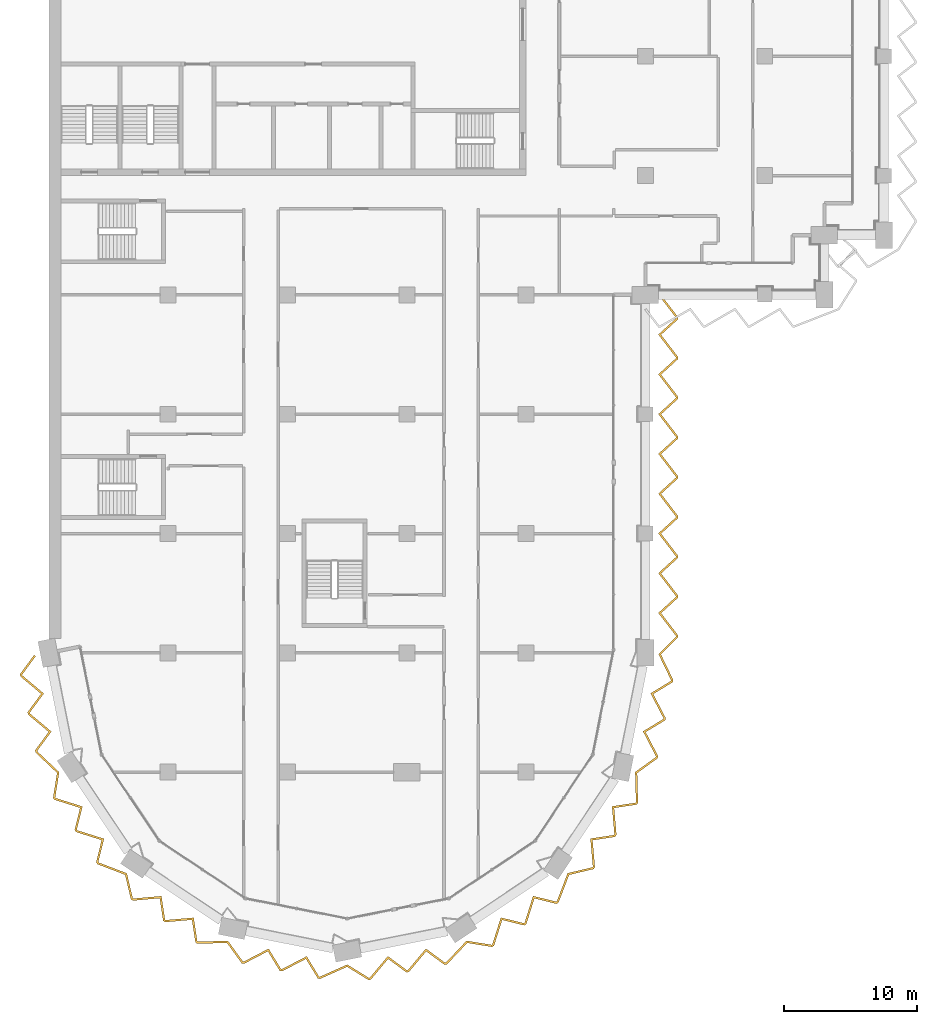
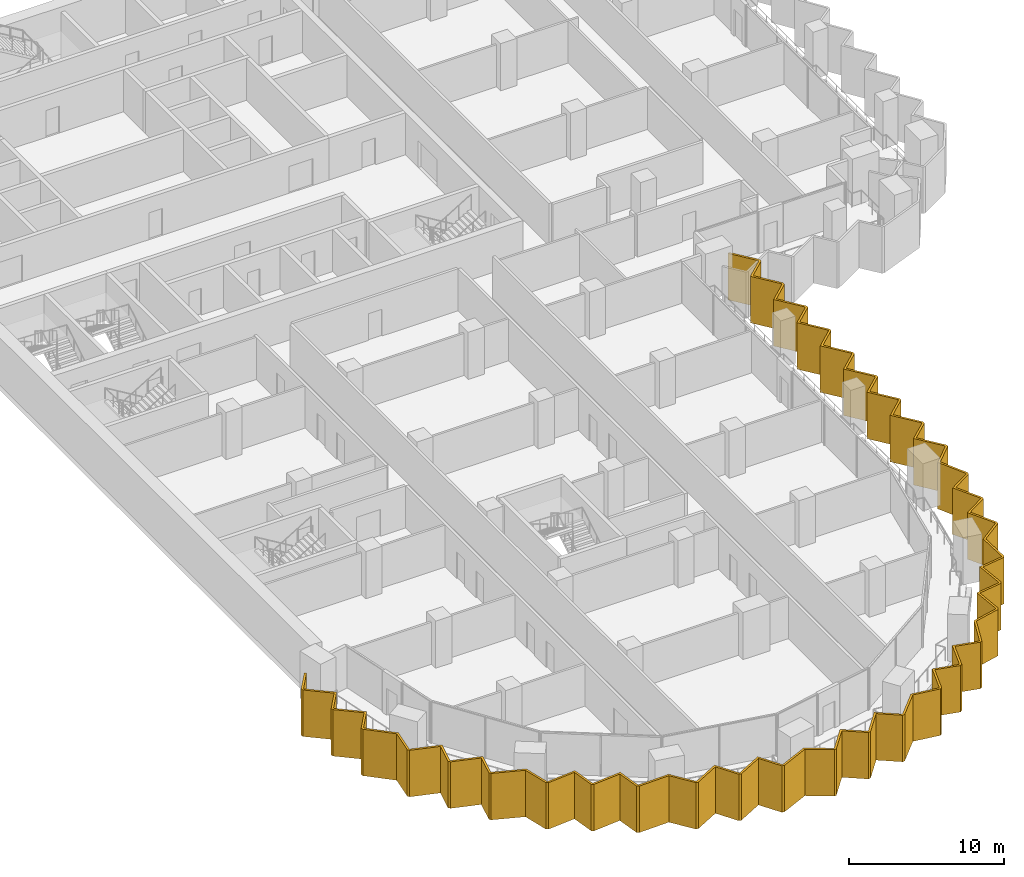
# One storey, part 18 of 22: 1 shading device.
"""IFC4 building model written with IfcOpenShell, lengths in metres."""

from ifc_helpers import new_model, si_unit, direction, frame, origin, place, context, subcontext, project, spatial, polyline, outline, extrude, material, layer, layer_set, type_object, element, save


model = new_model("IFC4")

# Units and contexts
model_context = context("Model", 3, precision=1e-05, world=origin(), true_north=direction((0.0, 1.0)))
body_context = subcontext(model_context, "Body", "Model", "MODEL_VIEW")
ifc_project = project(units=[si_unit("LENGTHUNIT", "METRE"), si_unit("AREAUNIT", "SQUARE_METRE"), si_unit("VOLUMEUNIT", "CUBIC_METRE"), si_unit("PLANEANGLEUNIT", "RADIAN"), si_unit("MASSUNIT", "GRAM", prefix="KILO")], contexts=[model_context])

# Site, building, storey
site_placement = place(None, origin())
site = spatial("IfcSite", under=ifc_project, at=site_placement, CompositionType="ELEMENT")
building_placement = place(site_placement, origin())
building = spatial("IfcBuilding", under=site, at=building_placement, Name="Hunhe Ridgeline Campus", CompositionType="ELEMENT")
storey_placement = place(building_placement, frame((0.0, 0.0, 163.39990234375)))
storey = spatial("IfcBuildingStorey", under=building, at=storey_placement, Name="L41", CompositionType="ELEMENT", Elevation=163.39990234375)

# Shading device
ifc_material = material(Name="Concrete C50", Category="concrete")
ifc_layer = layer(ifc_material, 0.14990234375)
ifc_layer_set = layer_set([ifc_layer], Name="Sawtooth concrete fin 150 Concrete C50")
shading_device_type = type_object("IfcShadingDeviceType", Name="Sawtooth concrete fin 150 Concrete C50", PredefinedType="USERDEFINED", material=ifc_layer_set)
shading_device_placement = place(storey_placement, frame((0.0, 0.0, -0.949951171875)))
element("IfcShadingDevice", 1, at=shading_device_placement, inside=storey, type_object=shading_device_type, Name="Concrete fin screen 1", ObjectType="FIN", PredefinedType="USERDEFINED", context=body_context, shape_type="SweptSolid", body=[
    extrude(outline(polyline([(-0.993896484375, 26.745849609375), (-1.11474609375, 26.834716796875), (-2.177978515625, 25.391357421875), (-2.14306640625, 25.21533203125), (-0.58544921875, 23.907958984375), (-1.607177734375, 22.521240234375), (-1.572021484375, 22.34521484375), (-0.0146484375, 21.037841796875), (-1.0361328125, 19.651123046875), (-1.001708984375, 19.4775390625), (0.61962890625, 17.94287109375), (0.318115234375, 16.06689453125), (0.415771484375, 15.920654296875), (2.35498046875, 15.308837890625), (1.94189453125, 13.63671875), (2.041748046875, 13.487548828125), (3.980712890625, 12.875732421875), (3.567626953125, 11.20361328125), (3.666015625, 11.056396484375), (5.751220703125, 10.25927734375), (6.190673828125, 8.410400390625), (6.3369140625, 8.312744140625), (8.362548828125, 8.48974609375), (8.620849609375, 6.78662109375), (8.77001953125, 6.68701171875), (10.795654296875, 6.86376953125), (11.053955078125, 5.160888671875), (11.201171875, 5.0625), (13.4326171875, 5.1240234375), (14.5458984375, 3.584228515625), (14.718505859375, 3.5498046875), (16.522216796875, 4.488525390625), (17.41259765625, 3.013916015625), (17.588623046875, 2.97900390625), (19.392333984375, 3.91748046875), (20.28271484375, 2.443115234375), (20.456298828125, 2.408447265625), (22.494384765625, 3.3193359375), (24.1123046875, 2.32275390625), (24.28466796875, 2.35693359375), (25.592041015625, 3.91455078125), (26.978759765625, 2.892822265625), (27.15478515625, 2.927978515625), (28.462158203125, 4.4853515625), (29.848876953125, 3.4638671875), (30.0224609375, 3.498291015625), (31.55712890625, 5.11962890625), (33.43310546875, 4.818115234375), (33.579345703125, 4.915771484375), (34.191162109375, 6.85498046875), (35.86328125, 6.44189453125), (36.012451171875, 6.541748046875), (36.624267578125, 8.480712890625), (38.29638671875, 8.067626953125), (38.443603515625, 8.166015625), (39.24072265625, 10.251220703125), (41.089599609375, 10.690673828125), (41.187255859375, 10.8369140625), (41.01025390625, 12.862548828125), (42.71337890625, 13.120849609375), (42.81298828125, 13.27001953125), (42.63623046875, 15.295654296875), (44.339111328125, 15.553955078125), (44.4375, 15.701171875), (44.3759765625, 17.9326171875), (45.915771484375, 19.0458984375), (45.9501953125, 19.218505859375), (45.011474609375, 21.022216796875), (46.486083984375, 21.91259765625), (46.52099609375, 22.088623046875), (45.58251953125, 23.892333984375), (47.056884765625, 24.78271484375), (47.091796875, 24.95751953125), (46.165771484375, 26.878662109375), (47.449951171875, 28.15478515625), (47.449951171875, 28.33154296875), (46.176513671875, 29.990966796875), (47.449951171875, 31.15283203125), (47.449951171875, 31.33154296875), (46.176513671875, 32.990966796875), (47.449951171875, 34.15283203125), (47.449951171875, 34.33154296875), (46.176513671875, 35.990966796875), (47.449951171875, 37.15283203125), (47.449951171875, 37.33154296875), (46.176513671875, 38.990966796875), (47.449951171875, 40.15283203125), (47.449951171875, 40.33154296875), (46.176513671875, 41.990966796875), (47.449951171875, 43.15283203125), (47.449951171875, 43.33154296875), (46.176513671875, 44.990966796875), (47.449951171875, 46.15283203125), (47.449951171875, 46.33154296875), (46.176513671875, 47.990966796875), (47.449951171875, 49.15283203125), (47.449951171875, 49.33154296875), (46.176513671875, 50.990966796875), (47.449951171875, 52.15283203125), (47.449951171875, 52.33154296875), (46.134521484375, 54.045654296875), (46.015380859375, 53.954345703125), (47.300048828125, 52.280517578125), (47.300048828125, 52.21923828125), (45.9736328125, 51.009033203125), (47.300048828125, 49.280517578125), (47.300048828125, 49.21923828125), (45.9736328125, 48.009033203125), (47.300048828125, 46.280517578125), (47.300048828125, 46.21923828125), (45.9736328125, 45.009033203125), (47.300048828125, 43.280517578125), (47.300048828125, 43.21923828125), (45.9736328125, 42.009033203125), (47.300048828125, 40.280517578125), (47.300048828125, 40.21923828125), (45.9736328125, 39.009033203125), (47.300048828125, 37.280517578125), (47.300048828125, 37.21923828125), (45.9736328125, 36.009033203125), (47.300048828125, 34.280517578125), (47.300048828125, 34.21923828125), (45.9736328125, 33.009033203125), (47.300048828125, 31.280517578125), (47.300048828125, 31.21923828125), (45.9736328125, 30.009033203125), (47.300048828125, 28.280517578125), (47.300048828125, 28.21728515625), (45.984130859375, 26.90966796875), (46.934814453125, 24.9375), (46.9228515625, 24.876953125), (45.384521484375, 23.947998046875), (46.36376953125, 22.066162109375), (46.351806640625, 22.0068359375), (44.8134765625, 21.077880859375), (45.792724609375, 19.196044921875), (45.7802734375, 19.133056640625), (44.223876953125, 18.0078125), (44.2861328125, 15.74462890625), (44.251220703125, 15.6923828125), (42.474365234375, 15.4228515625), (42.658935546875, 13.3095703125), (42.62548828125, 13.259033203125), (40.8486328125, 12.98974609375), (41.033203125, 10.876220703125), (40.99755859375, 10.822998046875), (39.129150390625, 10.37890625), (38.320556640625, 8.26416015625), (38.268310546875, 8.229248046875), (36.523681640625, 8.66015625), (35.88525390625, 6.636962890625), (35.8349609375, 6.603515625), (34.09033203125, 7.034423828125), (33.4521484375, 5.01123046875), (33.39892578125, 4.9755859375), (31.502685546875, 5.280517578125), (29.946533203125, 3.63623046875), (29.884765625, 3.623779296875), (28.437744140625, 4.689697265625), (27.073974609375, 3.064697265625), (27.0146484375, 3.052978515625), (25.567626953125, 4.11865234375), (24.203857421875, 2.493896484375), (24.140869140625, 2.481201171875), (22.505615234375, 3.488525390625), (20.438720703125, 2.56494140625), (20.376953125, 2.5771484375), (19.447998046875, 4.115478515625), (17.566162109375, 3.13623046875), (17.5068359375, 3.148193359375), (16.577880859375, 4.6865234375), (14.696044921875, 3.707275390625), (14.633056640625, 3.7197265625), (13.5078125, 5.276123046875), (11.24462890625, 5.2138671875), (11.1923828125, 5.248779296875), (10.9228515625, 7.025634765625), (8.8095703125, 6.841064453125), (8.759033203125, 6.87451171875), (8.48974609375, 8.6513671875), (6.376220703125, 8.466796875), (6.322998046875, 8.50244140625), (5.87890625, 10.370849609375), (3.76416015625, 11.179443359375), (3.729248046875, 11.231689453125), (4.16015625, 12.976318359375), (2.136962890625, 13.61474609375), (2.103515625, 13.6650390625), (2.534423828125, 15.40966796875), (0.51123046875, 16.0478515625), (0.4755859375, 16.10107421875), (0.780517578125, 17.997314453125), (-0.86376953125, 19.553466796875), (-0.876220703125, 19.615234375), (0.189697265625, 21.062255859375), (-1.435302734375, 22.426025390625), (-1.447021484375, 22.4853515625), (-0.38134765625, 23.932373046875), (-2.006103515625, 25.296142578125), (-2.01806640625, 25.355712890625), (-0.993896484375, 26.745849609375)])), origin(), (0.0, 0.0, 1.0), 3.650146484375),
])

save(model, "model.ifc")
